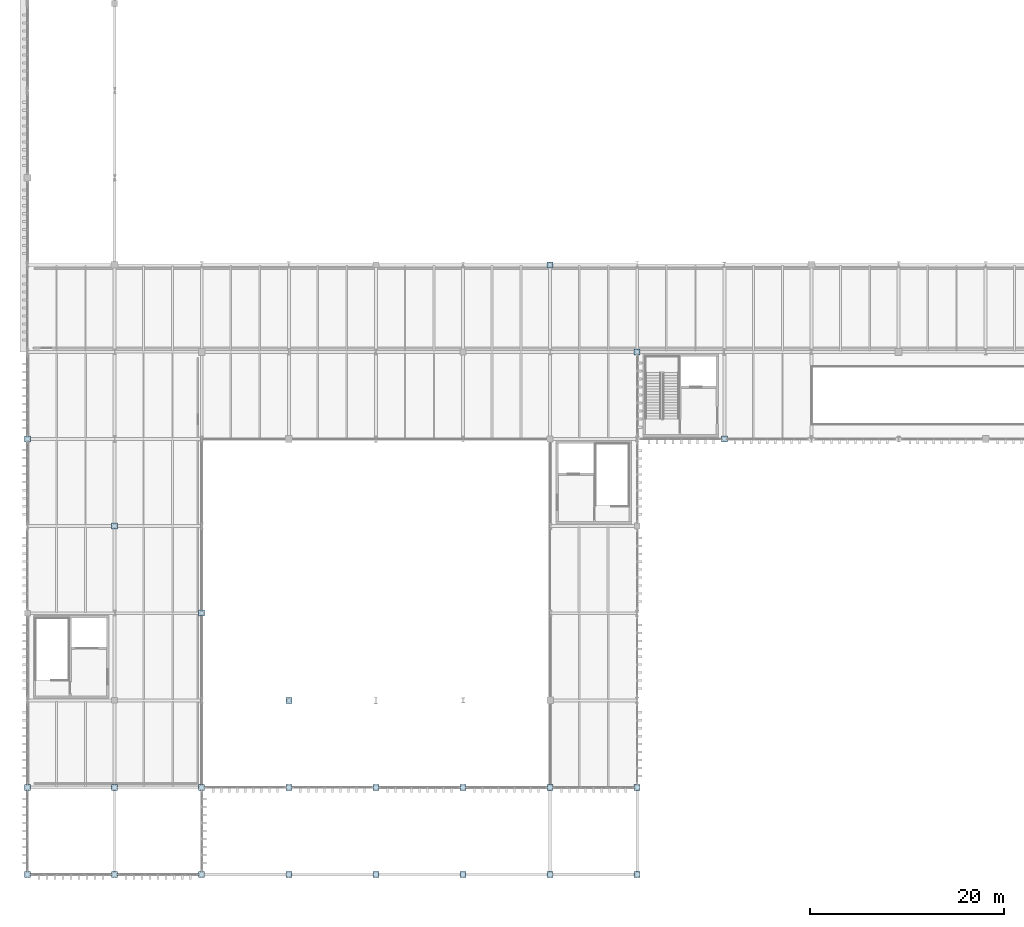
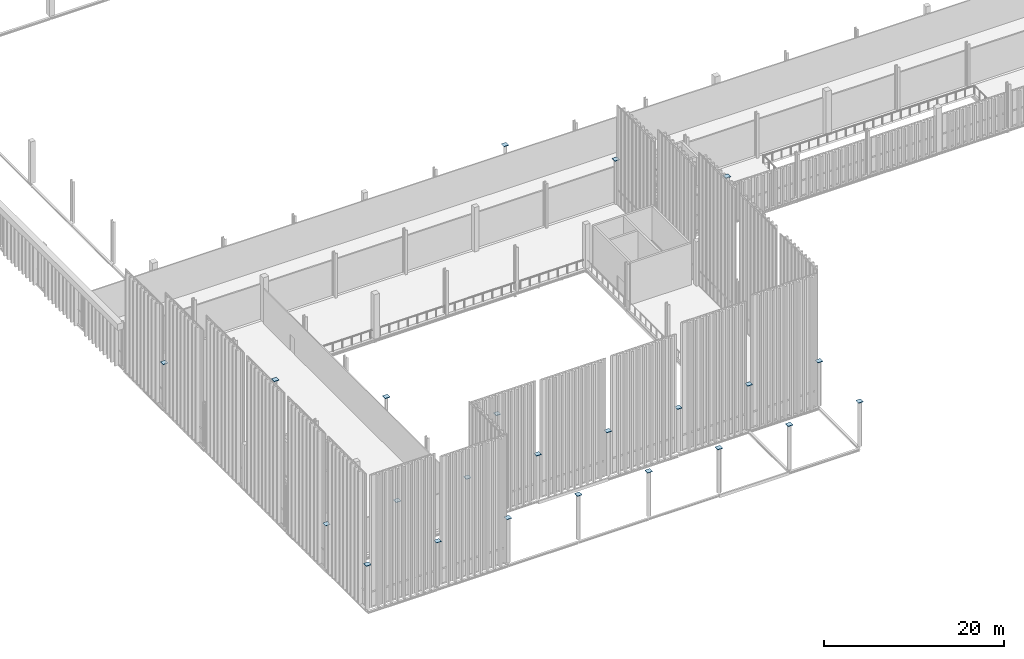
# One storey, part 199 of 237: 23 plates.
"""IFC4 building model written with IfcOpenShell, lengths in metres."""

import ifcopenshell
import ifcopenshell.guid

model = None  # the IFC model being written
_history = None  # IfcOwnerHistory: only IFC2X3 demands one
_inside = {}  # id of a spatial element -> (the spatial element, [elements in it])
_under = {}  # id of a project, library or spatial element -> (it, [spatial elements below it])
_declared = {}  # id of a project -> (the project, [libraries it declares])
_typed = {}  # id of a type object -> (the type object, [elements of that type])
_made_of = {}  # id of a material, layer set ... -> (it, [elements and type objects made of it])


def new_model(schema):
    """Start an empty IFC model of exactly this schema.

    Asked for "IFC4X3", IfcOpenShell would pick the latest addendum, in which some entities
    have other attributes; the version numbers below select the first issue.
    IFC2X3 requires an IfcOwnerHistory on every rooted entity: one is made here for all.
    """
    global model, _history
    if schema == "IFC4X3":
        model = ifcopenshell.file(schema_version=(4, 3, 0, 0))
    else:
        model = ifcopenshell.file(schema=schema)
    _inside.clear()
    _under.clear()
    _declared.clear()
    _typed.clear()
    _made_of.clear()
    _history = None
    if model.schema == "IFC2X3":
        org = make("IfcOrganization", Name="unknown")
        user = make(
            "IfcPersonAndOrganization",
            ThePerson=make("IfcPerson", FamilyName="unknown"),
            TheOrganization=org,
        )
        app = make(
            "IfcApplication",
            ApplicationDeveloper=org,
            Version="unknown",
            ApplicationFullName="unknown",
            ApplicationIdentifier="unknown",
        )
        _history = make(
            "IfcOwnerHistory",
            OwningUser=user,
            OwningApplication=app,
            ChangeAction="ADDED",
            CreationDate=0,
        )
    return model


def make(cls, **values):
    """One entity of the class cls with the attributes given. An attribute that is None is left unset."""
    return model.create_entity(
        cls, **{name: value for name, value in values.items() if value is not None}
    )


def rooted(cls, **values):
    """An entity with a GlobalId (a new one), such as an element, a storey or a relation."""
    return make(cls, GlobalId=ifcopenshell.guid.new(), OwnerHistory=_history, **values)


def si_unit(unit_type, name, prefix=None):
    """IfcSIUnit, for example si_unit("LENGTHUNIT", "METRE", prefix="MILLI")."""
    return make("IfcSIUnit", UnitType=unit_type, Prefix=prefix, Name=name)


def assignment(units):
    """IfcUnitAssignment: the units of a project."""
    return None if units is None else make("IfcUnitAssignment", Units=units)


def point(xyz):
    """IfcCartesianPoint."""
    return None if xyz is None else make("IfcCartesianPoint", Coordinates=xyz)


def direction(xyz):
    """IfcDirection."""
    return None if xyz is None else make("IfcDirection", DirectionRatios=xyz)


def frame(location, z_axis=None, x_axis=None):
    """IfcAxis2Placement3D, a coordinate frame: its origin and axes. An axis left out is left unset."""
    return make(
        "IfcAxis2Placement3D",
        Location=point(location),
        Axis=direction(z_axis),
        RefDirection=direction(x_axis),
    )


def frame_2d(location, x_axis=None):
    """IfcAxis2Placement2D, a coordinate frame in the plane: its origin and x axis."""
    return make(
        "IfcAxis2Placement2D", Location=point(location), RefDirection=direction(x_axis)
    )


def origin():
    """The frame at (0, 0, 0) with its axes left unset."""
    return frame((0.0, 0.0, 0.0))


def origin_2d():
    """The frame at (0, 0) in the plane with its x axis left unset."""
    return frame_2d((0.0, 0.0))


def place(relative_to, where):
    """IfcLocalPlacement: puts the frame where relative to a parent placement (None: the world)."""
    return make(
        "IfcLocalPlacement", PlacementRelTo=relative_to, RelativePlacement=where
    )


def context(
    kind, dimensions, precision=None, world=None, true_north=None, identifier=None
):
    """IfcGeometricRepresentationContext, for example the 3D "Model" context."""
    return make(
        "IfcGeometricRepresentationContext",
        ContextIdentifier=identifier,
        ContextType=kind,
        CoordinateSpaceDimension=dimensions,
        Precision=precision,
        WorldCoordinateSystem=world,
        TrueNorth=true_north,
    )


def subcontext(parent, identifier, kind, view, scale=None):
    """IfcGeometricRepresentationSubContext, for example "Body" below "Model"."""
    return make(
        "IfcGeometricRepresentationSubContext",
        ContextIdentifier=identifier,
        ContextType=kind,
        ParentContext=parent,
        TargetScale=scale,
        TargetView=view,
    )


def project(units=None, contexts=None):
    """IfcProject with its units and contexts."""
    return rooted(
        "IfcProject",
        Name="project",
        RepresentationContexts=contexts,
        UnitsInContext=assignment(units),
    )


def spatial(cls, under=None, at=None, **own):
    """A site, building, storey or space (cls), placed at a placement, below another one or the project."""
    s = rooted(cls, ObjectPlacement=at, **own)
    if under is not None:
        _under.setdefault(under.id(), (under, []))[1].append(s)
    return s


def profile(cls, at=None, kind="AREA", **sizes):
    """A parametric profile (cls). Its sizes go by their IFC names, for example OverallWidth=200.0."""
    return make(cls, ProfileType=kind, Position=at, **sizes)


def rectangle(**sizes):
    """IfcRectangleProfileDef."""
    return profile("IfcRectangleProfileDef", **sizes)


def extrude(swept, where, along, depth):
    """IfcExtrudedAreaSolid: the profile swept, set in the frame where, extruded along a direction by depth."""
    return make(
        "IfcExtrudedAreaSolid",
        SweptArea=swept,
        Position=where,
        ExtrudedDirection=direction(along),
        Depth=depth,
    )


def shape(context_of_items, identifier, shape_type, items):
    """IfcShapeRepresentation: the items that make up one representation, for example the "Body"."""
    return make(
        "IfcShapeRepresentation",
        ContextOfItems=context_of_items,
        RepresentationIdentifier=identifier,
        RepresentationType=shape_type,
        Items=items,
    )


def material(Name=None, Category=None):
    """IfcMaterial."""
    return make("IfcMaterial", Name=Name, Category=Category)


def layer(
    of_material, thickness, ventilated=None, Name=None, Category=None, Priority=None
):
    """IfcMaterialLayer: one layer of a wall or slab, of a material (None: an air gap)."""
    return make(
        "IfcMaterialLayer",
        Material=of_material,
        LayerThickness=thickness,
        IsVentilated=ventilated,
        Name=Name,
        Category=Category,
        Priority=Priority,
    )


def layer_set(layers, Name=None):
    """IfcMaterialLayerSet."""
    return make("IfcMaterialLayerSet", MaterialLayers=layers, LayerSetName=Name)


def made_of(thing, what):
    """Note that an element or type object is made of a material, layer set ...; save() writes the relation."""
    if what is not None:
        _made_of.setdefault(what.id(), (what, []))[1].append(thing)
    return thing


def type_object(cls, material=None, **own):
    """A type object (cls), such as IfcWallType, which elements share."""
    return made_of(rooted(cls, **own), material)


def element(
    cls,
    number,
    at=None,
    inside=None,
    cuts=None,
    type_object=None,
    material=None,
    context=None,
    identifier="Body",
    shape_type=None,
    held_by="IfcProductDefinitionShape",
    body=None,
    shapes=None,
    **own,
):
    """One element of the class cls, such as IfcWall. Its Tag is "e" and its number.

    at: its placement. inside: the storey or other place that contains it. cuts: it is an
    opening in that element (IfcRelVoidsElement). A single representation is given by context,
    identifier, shape_type and body (its items); several are given by shapes. held_by: the class
    of the entity that holds the representations. save() writes the other relations.
    """
    e = rooted(cls, Tag="e%d" % number, ObjectPlacement=at, **own)
    if body is not None:
        shapes = [shape(context, identifier, shape_type, body)]
    if shapes is not None:
        e.Representation = make(held_by, Representations=shapes)
    if inside is not None:
        _inside.setdefault(inside.id(), (inside, []))[1].append(e)
    if cuts is not None:
        rooted(
            "IfcRelVoidsElement", RelatingBuildingElement=cuts, RelatedOpeningElement=e
        )
    if type_object is not None:
        _typed.setdefault(type_object.id(), (type_object, []))[1].append(e)
    return made_of(e, material)


def aggregate(whole, parts):
    """IfcRelAggregates: a whole, such as a stair, and the parts it consists of."""
    return rooted("IfcRelAggregates", RelatingObject=whole, RelatedObjects=parts)


def save(model, path):
    """Write the relations noted so far, then the file.

    IfcRelAggregates (storeys below a building ...), IfcRelContainedInSpatialStructure (elements
    in a storey), IfcRelDefinesByType, IfcRelAssociatesMaterial and IfcRelDeclares: one each for
    every whole, place, type object, material and project.
    """
    for whole, parts in _under.values():
        aggregate(whole, parts)
    for where, things in _inside.values():
        rooted(
            "IfcRelContainedInSpatialStructure",
            RelatedElements=things,
            RelatingStructure=where,
        )
    for kind, things in _typed.values():
        rooted("IfcRelDefinesByType", RelatedObjects=things, RelatingType=kind)
    for what, things in _made_of.values():
        rooted("IfcRelAssociatesMaterial", RelatedObjects=things, RelatingMaterial=what)
    for by, libraries in _declared.values():
        rooted("IfcRelDeclares", RelatingContext=by, RelatedDefinitions=libraries)
    model.write(path)


model = new_model("IFC4")

# Units and contexts
model_context = context("Model", 3, precision=1e-05, world=origin(), true_north=direction((0.0, 1.0)))
body_context = subcontext(model_context, "Body", "Model", "MODEL_VIEW")
ifc_project = project(units=[si_unit("LENGTHUNIT", "METRE"), si_unit("AREAUNIT", "SQUARE_METRE"), si_unit("VOLUMEUNIT", "CUBIC_METRE"), si_unit("PLANEANGLEUNIT", "RADIAN"), si_unit("MASSUNIT", "GRAM", prefix="KILO")], contexts=[model_context])

# Site, building, storey
site_placement = place(None, origin())
site = spatial("IfcSite", under=ifc_project, at=site_placement, CompositionType="ELEMENT")
building_placement = place(site_placement, origin())
building = spatial("IfcBuilding", under=site, at=building_placement, Name="Barlavento Convention Centre", CompositionType="ELEMENT")
storey_placement = place(building_placement, frame((0.0, 0.0, 12.0)))
storey = spatial("IfcBuildingStorey", under=building, at=storey_placement, Name="L02", CompositionType="ELEMENT", Elevation=12.0)

# Plates
ifc_material = material(Name="Steel S355", Category="steel")
ifc_layer = layer(ifc_material, 0.06005859375)
ifc_layer_set = layer_set([ifc_layer], Name="STR-PLT-CAP-620")
plate_type = type_object("IfcPlateType", Name="STR-PLT-CAP-620", PredefinedType="SHEET", material=ifc_layer_set)
for number, where, z_axis, x_axis, name in (
    (1, (0.0, 0.0, 5.969970703125), (0.0, 0.0, 1.0), (1.0, 0.0, 0.0), "Hollow column sealing end-cap plate EC04"),
    (2, (0.0, 9.0, 5.969970703125), (0.0, 0.0, 1.0), (1.0, 0.0, 0.0), "Hollow column sealing end-cap plate EC04"),
    (3, (0.0, 45.0, 5.969970703125), (0.0, 0.0, 1.0), (1.0, 0.0, 0.0), "Hollow column sealing end-cap plate EC04"),
    (4, (9.0, 0.0, 5.969970703125), (0.0, 0.0, 1.0), (1.0, 0.0, 0.0), "Hollow column sealing end-cap plate EC04"),
    (5, (9.0, 9.0, 5.969970703125), (0.0, 0.0, 1.0), (1.0, 0.0, 0.0), "Hollow column sealing end-cap plate EC04"),
    (6, (9.0, 36.0, 5.969970703125), (0.0, 0.0, 1.0), (1.0, 0.0, 0.0), "Hollow column sealing end-cap plate EC04"),
    (7, (18.0, 0.0, 5.969970703125), (0.0, 0.0, 1.0), (1.0, 0.0, 0.0), "Hollow column sealing end-cap plate EC04"),
    (8, (18.0, 9.0, 5.969970703125), (0.0, 0.0, 1.0), (1.0, 0.0, 0.0), "Hollow column sealing end-cap plate EC04"),
    (9, (18.0, 27.0, 5.969970703125), (0.0, 0.0, 1.0), (1.0, 0.0, 0.0), "Hollow column sealing end-cap plate EC04"),
    (10, (27.0, 0.0, 5.969970703125), (0.0, 0.0, 1.0), (1.0, 0.0, 0.0), "Hollow column sealing end-cap plate EC04"),
    (11, (27.0, 9.0, 5.969970703125), (0.0, 0.0, 1.0), (1.0, 0.0, 0.0), "Hollow column sealing end-cap plate EC04"),
    (12, (27.0, 18.0, 5.969970703125), (0.0, 0.0, 1.0), (1.0, 0.0, 0.0), "Hollow column sealing end-cap plate EC04"),
    (13, (36.0, 0.0, 5.969970703125), (0.0, 0.0, 1.0), (1.0, 0.0, 0.0), "Hollow column sealing end-cap plate EC04"),
    (14, (36.0, 9.0, 5.969970703125), (0.0, 0.0, 1.0), (1.0, 0.0, 0.0), "Hollow column sealing end-cap plate EC04"),
    (15, (45.0, 0.0, 5.969970703125), (0.0, 0.0, 1.0), (1.0, 0.0, 0.0), "Hollow column sealing end-cap plate EC04"),
    (16, (45.0, 9.0, 5.969970703125), (0.0, 0.0, 1.0), (1.0, 0.0, 0.0), "Hollow column sealing end-cap plate EC04"),
    (17, (54.0, 0.0, 5.969970703125), (0.0, 0.0, 1.0), (1.0, 0.0, 0.0), "Hollow column sealing end-cap plate EC04"),
    (18, (54.0, 9.0, 5.969970703125), (0.0, 0.0, 1.0), (1.0, 0.0, 0.0), "Hollow column sealing end-cap plate EC04"),
    (19, (54.0, 63.0, 5.625), (0.0, 0.0, 1.0), (1.0, 0.0, 0.0), "Hollow column sealing end-cap plate EC04"),
    (20, (63.0, 0.0, 5.969970703125), (0.0, 0.0, 1.0), (1.0, 0.0, 0.0), "Hollow column sealing end-cap plate EC04"),
    (21, (63.0, 9.0, 5.969970703125), (0.0, 0.0, 1.0), (1.0, 0.0, 0.0), "Hollow column sealing end-cap plate EC04"),
    (22, (63.0, 54.0, 5.969970703125), (0.0, 0.0, 1.0), (1.0, 0.0, 0.0), "Hollow column sealing end-cap plate EC04"),
    (23, (72.0, 45.0, 5.969970703125), (0.0, 0.0, 1.0), (1.0, 0.0, 0.0), "Hollow column sealing end-cap plate EC04"),
):
    element("IfcPlate", number, at=place(storey_placement, frame(where, z_axis=z_axis, x_axis=x_axis)), inside=storey, type_object=plate_type, Name=name, PredefinedType="SHEET", context=body_context, shape_type="SweptSolid", body=[
        extrude(rectangle(XDim=0.6201171875, YDim=0.6201171875, at=origin_2d()), origin(), (0.0, 0.0, 1.0), 0.06005859375),
    ])

save(model, "model.ifc")
